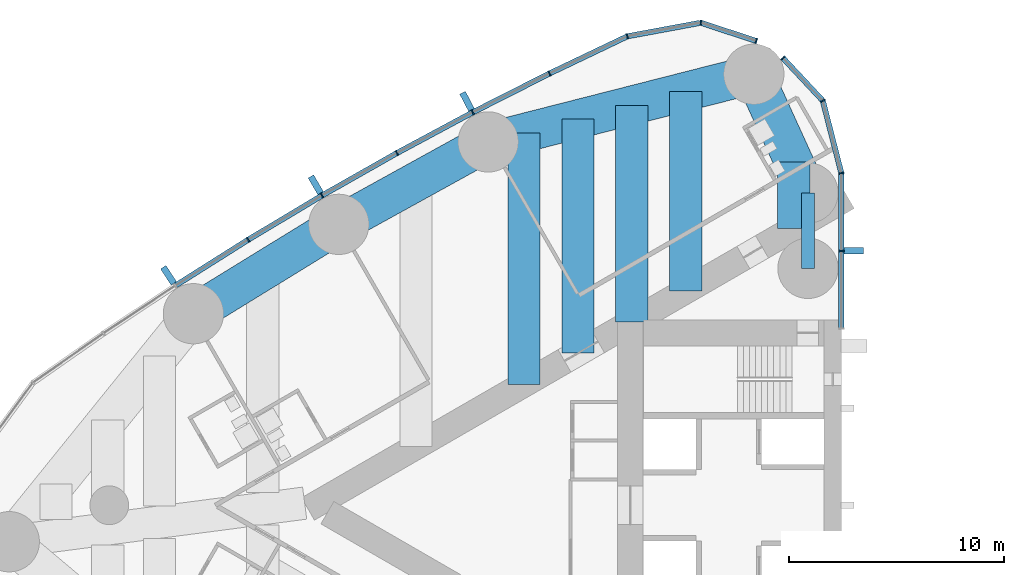
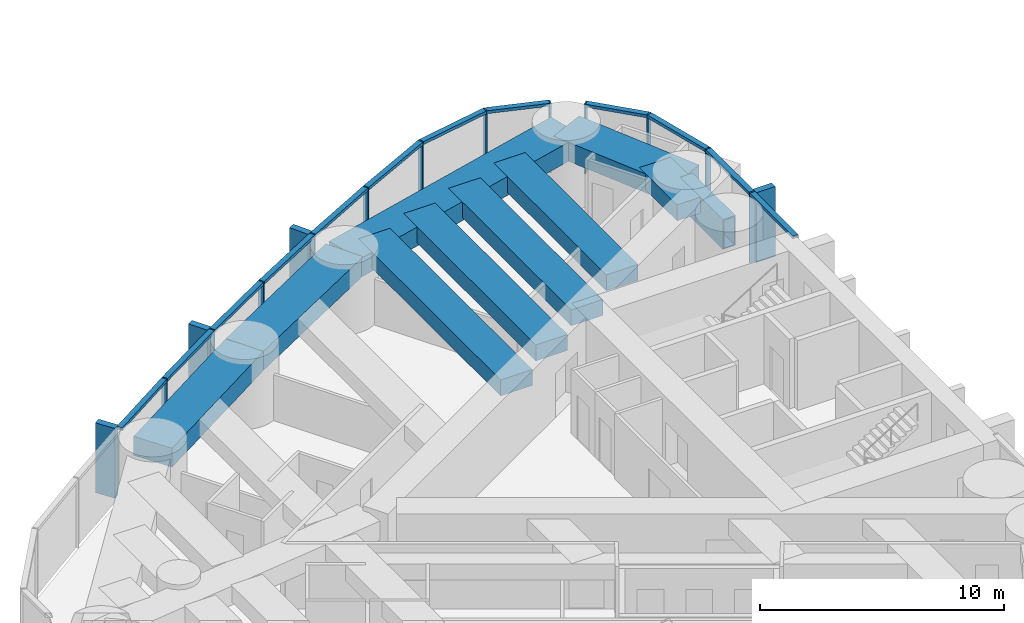
# One storey, part 5 of 18: 28 members, 10 beams, 2 elements without a shape of their own.
"""IFC4 building model written with IfcOpenShell, lengths in metres."""

from ifc_helpers import new_model, si_unit, direction, frame, origin, origin_2d, place, context, subcontext, project, spatial, rectangle, hollow_rectangle, extrude, material, material_profile, profile_set, type_object, element, aggregate, save


model = new_model("IFC4")

# Units and contexts
model_context = context("Model", 3, precision=1e-05, world=origin(), true_north=direction((0.0, 1.0)))
body_context = subcontext(model_context, "Body", "Model", "MODEL_VIEW")
ifc_project = project(units=[si_unit("LENGTHUNIT", "METRE"), si_unit("AREAUNIT", "SQUARE_METRE"), si_unit("VOLUMEUNIT", "CUBIC_METRE"), si_unit("PLANEANGLEUNIT", "RADIAN"), si_unit("MASSUNIT", "GRAM", prefix="KILO")], contexts=[model_context])

# Site, building, storey
site_placement = place(None, origin())
site = spatial("IfcSite", under=ifc_project, at=site_placement, CompositionType="ELEMENT")
building_placement = place(site_placement, origin())
building = spatial("IfcBuilding", under=site, at=building_placement, Name="Lancet Gate Hotel", CompositionType="ELEMENT")
storey_placement = place(building_placement, frame((0.0, 0.0, 166.800048828125)))
storey = spatial("IfcBuildingStorey", under=building, at=storey_placement, Name="L44", CompositionType="ELEMENT", Elevation=166.800048828125)

# Curtain wall, members
ifc_material_1 = material(Name="Aluminium curtain wall", Category="aluminium")
curtain_wall_type = type_object("IfcCurtainWallType", Name="Tower unitised curtain wall", PredefinedType="USERDEFINED", material=ifc_material_1)
curtain_wall_1_placement = place(storey_placement, origin())
curtain_wall_1 = element("IfcCurtainWall", 1, at=curtain_wall_1_placement, inside=storey, type_object=curtain_wall_type, Name="T1 L44 curtain wall 1", ObjectType="UNITISED CURTAIN WALL", PredefinedType="USERDEFINED")
ifc_material_2 = material(Name="Aluminium mullion", Category="aluminium")
ifc_material_profile_1 = material_profile(ifc_material_2, rectangle(XDim=0.06494140625, YDim=0.25, at=origin_2d()), Name="MULLION 65x250")
ifc_profile_set_1 = profile_set([ifc_material_profile_1], Name="Aluminium mullion")
member_type_1 = type_object("IfcMemberType", Name="Aluminium mullion 65x250", PredefinedType="MULLION", material=ifc_profile_set_1)
member_1_placement = place(storey_placement, frame((-27.5, 11.811767578125, 0.0), z_axis=(0.0, 0.0, 1.0), x_axis=(0.0, 1.0, 0.0)))
member_1 = element("IfcMember", 2, at=member_1_placement, type_object=member_type_1, Name="T1 L44 curtain wall 1 mullion 2", PredefinedType="MULLION", context=body_context, shape_type="SweptSolid", body=[
    extrude(rectangle(XDim=0.06494140625, YDim=0.25, at=origin_2d()), origin(), (0.0, 0.0, 1.0), 3.5),
])
member_2_placement = place(storey_placement, frame((-27.5, 15.42333984375, 0.0), z_axis=(0.0, 0.0, 1.0), x_axis=(-0.122467472845, 0.992472527627, 0.0)))
member_2 = element("IfcMember", 3, at=member_2_placement, type_object=member_type_1, Name="T1 L44 curtain wall 1 mullion 3", PredefinedType="MULLION", context=body_context, shape_type="SweptSolid", body=[
    extrude(rectangle(XDim=0.06494140625, YDim=0.25, at=origin_2d()), origin(), (0.0, 0.0, 1.0), 3.5),
])
member_3_placement = place(storey_placement, frame((-28.360595703125, 18.7861328125, 0.0), z_axis=(0.0, 0.0, 1.0), x_axis=(-0.452507601198, 0.891760545695, 0.0)))
member_3 = element("IfcMember", 4, at=member_3_placement, type_object=member_type_1, Name="T1 L44 curtain wall 1 mullion 4", PredefinedType="MULLION", context=body_context, shape_type="SweptSolid", body=[
    extrude(rectangle(XDim=0.06494140625, YDim=0.25, at=origin_2d()), origin(), (0.0, 0.0, 1.0), 3.5),
])
member_4_placement = place(storey_placement, frame((-30.210693359375, 20.765625, 0.0), z_axis=(0.0, 0.0, 1.0), x_axis=(-0.682844962172, 0.730563315282, 0.0)))
member_4 = element("IfcMember", 5, at=member_4_placement, type_object=member_type_1, Name="T1 L44 curtain wall 1 mullion 5", PredefinedType="MULLION", context=body_context, shape_type="SweptSolid", body=[
    extrude(rectangle(XDim=0.06494140625, YDim=0.25, at=origin_2d()), origin(), (0.0, 0.0, 1.0), 3.5),
])

curtain_wall_2_placement = place(storey_placement, origin())
curtain_wall_2 = element("IfcCurtainWall", 6, at=curtain_wall_2_placement, inside=storey, type_object=curtain_wall_type, Name="T1 L44 curtain wall 2", ObjectType="UNITISED CURTAIN WALL", PredefinedType="USERDEFINED")
member_5_placement = place(storey_placement, frame((-31.45263671875, 21.5595703125, 0.0), z_axis=(0.0, 0.0, 1.0), x_axis=(-0.949848055084, 0.312711803827, 0.0)))
member_5 = element("IfcMember", 7, at=member_5_placement, type_object=member_type_1, Name="T1 L44 curtain wall 2 mullion 1", PredefinedType="MULLION", context=body_context, shape_type="SweptSolid", body=[
    extrude(rectangle(XDim=0.06494140625, YDim=0.25, at=origin_2d()), origin(), (0.0, 0.0, 1.0), 3.5),
])
member_6_placement = place(storey_placement, frame((-34.02783203125, 22.407470703125, 0.0), z_axis=(0.0, 0.0, 1.0), x_axis=(-0.999350473622, 0.036036521361, 0.0)))
member_6 = element("IfcMember", 8, at=member_6_placement, type_object=member_type_1, Name="T1 L44 curtain wall 2 mullion 2", PredefinedType="MULLION", context=body_context, shape_type="SweptSolid", body=[
    extrude(rectangle(XDim=0.06494140625, YDim=0.25, at=origin_2d()), origin(), (0.0, 0.0, 1.0), 3.5),
])
member_7_placement = place(storey_placement, frame((-37.44091796875, 21.775634765625, 0.0), z_axis=(0.0, 0.0, 1.0), x_axis=(-0.948119321052, -0.317914694609, 0.0)))
member_7 = element("IfcMember", 9, at=member_7_placement, type_object=member_type_1, Name="T1 L44 curtain wall 2 mullion 3", PredefinedType="MULLION", context=body_context, shape_type="SweptSolid", body=[
    extrude(rectangle(XDim=0.06494140625, YDim=0.25, at=origin_2d()), origin(), (0.0, 0.0, 1.0), 3.5),
])
member_8_placement = place(storey_placement, frame((-41.0498046875, 20.052978515625, 0.0), z_axis=(0.0, 0.0, 1.0), x_axis=(-0.897324392142, -0.441371652088, 0.0)))
member_8 = element("IfcMember", 10, at=member_8_placement, type_object=member_type_1, Name="T1 L44 curtain wall 2 mullion 4", PredefinedType="MULLION", context=body_context, shape_type="SweptSolid", body=[
    extrude(rectangle(XDim=0.06494140625, YDim=0.25, at=origin_2d()), origin(), (0.0, 0.0, 1.0), 3.5),
])
member_9_placement = place(storey_placement, frame((-44.6171875, 18.245849609375, 0.0), z_axis=(0.0, 0.0, 1.0), x_axis=(-0.886694440064, -0.462355891019, 0.0)))
member_9 = element("IfcMember", 11, at=member_9_placement, type_object=member_type_1, Name="T1 L44 curtain wall 2 mullion 5", PredefinedType="MULLION", context=body_context, shape_type="SweptSolid", body=[
    extrude(rectangle(XDim=0.06494140625, YDim=0.25, at=origin_2d()), origin(), (0.0, 0.0, 1.0), 3.5),
])
member_10_placement = place(storey_placement, frame((-48.140869140625, 16.355224609375, 0.0), z_axis=(0.0, 0.0, 1.0), x_axis=(-0.87557384965, -0.483084292654, 0.0)))
member_10 = element("IfcMember", 12, at=member_10_placement, type_object=member_type_1, Name="T1 L44 curtain wall 2 mullion 6", PredefinedType="MULLION", context=body_context, shape_type="SweptSolid", body=[
    extrude(rectangle(XDim=0.06494140625, YDim=0.25, at=origin_2d()), origin(), (0.0, 0.0, 1.0), 3.5),
])
member_11_placement = place(storey_placement, frame((-51.619384765625, 14.38232421875, 0.0), z_axis=(0.0, 0.0, 1.0), x_axis=(-0.863968774311, -0.503545387245, 0.0)))
member_11 = element("IfcMember", 13, at=member_11_placement, type_object=member_type_1, Name="T1 L44 curtain wall 2 mullion 7", PredefinedType="MULLION", context=body_context, shape_type="SweptSolid", body=[
    extrude(rectangle(XDim=0.06494140625, YDim=0.25, at=origin_2d()), origin(), (0.0, 0.0, 1.0), 3.5),
])
member_12_placement = place(storey_placement, frame((-55.05029296875, 12.328369140625, 0.0), z_axis=(0.0, 0.0, 1.0), x_axis=(-0.851885635531, -0.52372785297, 0.0)))
member_12 = element("IfcMember", 14, at=member_12_placement, type_object=member_type_1, Name="T1 L44 curtain wall 2 mullion 8", PredefinedType="MULLION", context=body_context, shape_type="SweptSolid", body=[
    extrude(rectangle(XDim=0.06494140625, YDim=0.25, at=origin_2d()), origin(), (0.0, 0.0, 1.0), 3.5),
])

# Member
ifc_material_3 = material(Name="Aluminium transom", Category="aluminium")
ifc_material_profile_2 = material_profile(ifc_material_3, rectangle(XDim=0.25, YDim=0.14990234375, at=origin_2d()), Name="TRANSOM 250x150")
ifc_profile_set_2 = profile_set([ifc_material_profile_2], Name="Aluminium transom")
member_type_2 = type_object("IfcMemberType", Name="Aluminium transom 250x150", PredefinedType="USERDEFINED", material=ifc_profile_set_2)
member_13_placement = place(storey_placement, frame((-27.5, 8.232421875, 3.425048828125), z_axis=(0.0, 1.0, 0.0), x_axis=(-1.0, 0.0, 0.0)))
member_13 = element("IfcMember", 15, at=member_13_placement, type_object=member_type_2, Name="T1 L44 curtain wall 1 transom 1", ObjectType="TRANSOM", PredefinedType="USERDEFINED", context=body_context, shape_type="SweptSolid", body=[
    extrude(rectangle(XDim=0.25, YDim=0.14990234375, at=origin_2d()), origin(), (0.0, 0.0, 1.0), 3.546875),
])

member_14_placement = place(storey_placement, frame((-27.5, 11.84423828125, 3.425048828125), z_axis=(0.0, 1.0, 0.0), x_axis=(-1.0, 0.0, 0.0)))
member_14 = element("IfcMember", 16, at=member_14_placement, type_object=member_type_2, Name="T1 L44 curtain wall 1 transom 2", ObjectType="TRANSOM", PredefinedType="USERDEFINED", context=body_context, shape_type="SweptSolid", body=[
    extrude(rectangle(XDim=0.25, YDim=0.14990234375, at=origin_2d()), origin(), (0.0, 0.0, 1.0), 3.546630859375),
])

member_15_placement = place(storey_placement, frame((-27.508056640625, 15.454833984375, 3.425048828125), z_axis=(-0.247928683912, 0.968778286139, 0.0), x_axis=(-0.968778286139, -0.247928683912, 0.0)))
member_15 = element("IfcMember", 17, at=member_15_placement, type_object=member_type_2, Name="T1 L44 curtain wall 1 transom 3", ObjectType="TRANSOM", PredefinedType="USERDEFINED", context=body_context, shape_type="SweptSolid", body=[
    extrude(rectangle(XDim=0.25, YDim=0.14990234375, at=origin_2d()), origin(), (0.0, 0.0, 1.0), 3.40625),
])

member_16_placement = place(storey_placement, frame((-28.3828125, 18.809814453125, 3.425048828125), z_axis=(-0.682841037959, 0.730566983157, 0.0), x_axis=(-0.730566983157, -0.682841037959, 0.0)))
member_16 = element("IfcMember", 18, at=member_16_placement, type_object=member_type_2, Name="T1 L44 curtain wall 1 transom 4", ObjectType="TRANSOM", PredefinedType="USERDEFINED", context=body_context, shape_type="SweptSolid", body=[
    extrude(rectangle(XDim=0.25, YDim=0.14990234375, at=origin_2d()), origin(), (0.0, 0.0, 1.0), 2.644775390625),
])

member_17_placement = place(storey_placement, frame((-31.483642578125, 21.56982421875, 3.425048828125), z_axis=(-0.949857661259, 0.312682623993, 0.0), x_axis=(-0.312682623993, -0.949857661259, 0.0)))
member_17 = element("IfcMember", 19, at=member_17_placement, type_object=member_type_2, Name="T1 L44 curtain wall 2 transom 1", ObjectType="TRANSOM", PredefinedType="USERDEFINED", context=body_context, shape_type="SweptSolid", body=[
    extrude(rectangle(XDim=0.25, YDim=0.14990234375, at=origin_2d()), origin(), (0.0, 0.0, 1.0), 2.64599609375),
])

member_18_placement = place(storey_placement, frame((-34.059814453125, 22.401611328125, 3.425048828125), z_axis=(-0.983286757871, -0.182063592724, 0.0), x_axis=(0.182063592724, -0.983286757871, 0.0)))
member_18 = element("IfcMember", 20, at=member_18_placement, type_object=member_type_2, Name="T1 L44 curtain wall 2 transom 2", ObjectType="TRANSOM", PredefinedType="USERDEFINED", context=body_context, shape_type="SweptSolid", body=[
    extrude(rectangle(XDim=0.25, YDim=0.14990234375, at=origin_2d()), origin(), (0.0, 0.0, 1.0), 3.406005859375),
])

member_19_placement = place(storey_placement, frame((-37.47021484375, 21.761474609375, 3.425048828125), z_axis=(-0.902468975385, -0.430754858902, 0.0), x_axis=(0.430754858902, -0.902468975385, 0.0)))
member_19 = element("IfcMember", 21, at=member_19_placement, type_object=member_type_2, Name="T1 L44 curtain wall 2 transom 3", ObjectType="TRANSOM", PredefinedType="USERDEFINED", context=body_context, shape_type="SweptSolid", body=[
    extrude(rectangle(XDim=0.25, YDim=0.14990234375, at=origin_2d()), origin(), (0.0, 0.0, 1.0), 3.93408203125),
])

member_20_placement = place(storey_placement, frame((-41.078857421875, 20.0380859375, 3.425048828125), z_axis=(-0.892081477453, -0.451874581699, 0.0), x_axis=(0.451874581699, -0.892081477453, 0.0)))
member_20 = element("IfcMember", 22, at=member_20_placement, type_object=member_type_2, Name="T1 L44 curtain wall 2 transom 4", ObjectType="TRANSOM", PredefinedType="USERDEFINED", context=body_context, shape_type="SweptSolid", body=[
    extrude(rectangle(XDim=0.25, YDim=0.14990234375, at=origin_2d()), origin(), (0.0, 0.0, 1.0), 3.933837890625),
])

member_21_placement = place(storey_placement, frame((-44.645751953125, 18.23046875, 3.425048828125), z_axis=(-0.881185491994, -0.472770693571, 0.0), x_axis=(0.472770693571, -0.881185491994, 0.0)))
member_21 = element("IfcMember", 23, at=member_21_placement, type_object=member_type_2, Name="T1 L44 curtain wall 2 transom 5", ObjectType="TRANSOM", PredefinedType="USERDEFINED", context=body_context, shape_type="SweptSolid", body=[
    extrude(rectangle(XDim=0.25, YDim=0.14990234375, at=origin_2d()), origin(), (0.0, 0.0, 1.0), 3.93408203125),
])

member_22_placement = place(storey_placement, frame((-48.169189453125, 16.33935546875, 3.425048828125), z_axis=(-0.869819807367, -0.493369539709, 0.0), x_axis=(0.493369539709, -0.869819807367, 0.0)))
member_22 = element("IfcMember", 24, at=member_22_placement, type_object=member_type_2, Name="T1 L44 curtain wall 2 transom 6", ObjectType="TRANSOM", PredefinedType="USERDEFINED", context=body_context, shape_type="SweptSolid", body=[
    extrude(rectangle(XDim=0.25, YDim=0.14990234375, at=origin_2d()), origin(), (0.0, 0.0, 1.0), 3.93408203125),
])

member_23_placement = place(storey_placement, frame((-51.647216796875, 14.36572265625, 3.425048828125), z_axis=(-0.857985365092, -0.513674131419, 0.0), x_axis=(0.513674131419, -0.857985365092, 0.0)))
member_23 = element("IfcMember", 25, at=member_23_placement, type_object=member_type_2, Name="T1 L44 curtain wall 2 transom 7", ObjectType="TRANSOM", PredefinedType="USERDEFINED", context=body_context, shape_type="SweptSolid", body=[
    extrude(rectangle(XDim=0.25, YDim=0.14990234375, at=origin_2d()), origin(), (0.0, 0.0, 1.0), 3.933837890625),
])

member_24_placement = place(storey_placement, frame((-55.077880859375, 12.31103515625, 3.425048828125), z_axis=(-0.845671711095, -0.53370343549, 0.0), x_axis=(0.53370343549, -0.845671711095, 0.0)))
member_24 = element("IfcMember", 26, at=member_24_placement, type_object=member_type_2, Name="T1 L44 curtain wall 2 transom 8", ObjectType="TRANSOM", PredefinedType="USERDEFINED", context=body_context, shape_type="SweptSolid", body=[
    extrude(rectangle(XDim=0.25, YDim=0.14990234375, at=origin_2d()), origin(), (0.0, 0.0, 1.0), 3.93408203125),
])

# Beams
ifc_material_4 = material(Name="Concrete C50/60", Category="concrete")
ifc_material_profile_3 = material_profile(ifc_material_4, rectangle(XDim=1.800048828125, YDim=0.949951171875, at=origin_2d()), Name="RC 1800x950")
ifc_profile_set_3 = profile_set([ifc_material_profile_3], Name="Concrete C50/60")
beam_type_1 = type_object("IfcBeamType", Name="Edge beam RC 1800x950", PredefinedType="SPANDREL", material=ifc_profile_set_3)
beam_1_placement = place(storey_placement, frame((-31.5654296875, 20.015869140625, 2.77490234375), z_axis=(-0.969008414312, -0.247027717052, 0.0), x_axis=(0.247027717052, -0.969008414312, 0.0)))
element("IfcBeam", 27, at=beam_1_placement, inside=storey, type_object=beam_type_1, Name="T1 edge beam EB1 L44", PredefinedType="SPANDREL", context=body_context, shape_type="SweptSolid", body=[
    extrude(rectangle(XDim=1.800048828125, YDim=0.949951171875, at=origin_2d()), origin(), (0.0, 0.0, 1.0), 12.7294921875),
])
beam_2_placement = place(storey_placement, frame((-43.900390625, 16.871337890625, 2.77490234375), z_axis=(-0.875577684027, -0.483077342911, 0.0), x_axis=(0.483077342911, -0.875577684027, 0.0)))
element("IfcBeam", 28, at=beam_2_placement, inside=storey, type_object=beam_type_1, Name="T1 edge beam EB1 L44", PredefinedType="SPANDREL", context=body_context, shape_type="SweptSolid", body=[
    extrude(rectangle(XDim=1.800048828125, YDim=0.949951171875, at=origin_2d()), origin(), (0.0, 0.0, 1.0), 7.924560546875),
])
beam_3_placement = place(storey_placement, frame((-50.8388671875, 13.043212890625, 2.77490234375), z_axis=(-0.851892008043, -0.523717487423, 0.0), x_axis=(0.523717487423, -0.851892008043, 0.0)))
element("IfcBeam", 29, at=beam_3_placement, inside=storey, type_object=beam_type_1, Name="T1 edge beam EB1 L44", PredefinedType="SPANDREL", context=body_context, shape_type="SweptSolid", body=[
    extrude(rectangle(XDim=1.800048828125, YDim=0.949951171875, at=origin_2d()), origin(), (0.0, 0.0, 1.0), 7.92431640625),
])
beam_4_placement = place(storey_placement, frame((-31.5654296875, 20.015869140625, 2.77490234375), z_axis=(0.414919206993, -0.909858259109, 0.0), x_axis=(0.909858259109, 0.414919206993, 0.0)))
element("IfcBeam", 30, at=beam_4_placement, inside=storey, type_object=beam_type_1, Name="T1 edge beam EB1 L44", PredefinedType="SPANDREL", context=body_context, shape_type="SweptSolid", body=[
    extrude(rectangle(XDim=1.800048828125, YDim=0.949951171875, at=origin_2d()), origin(), (0.0, 0.0, 1.0), 6.062255859375),
])

# Member
ifc_material_5 = material(Name="Precast concrete C50/60", Category="concrete")
ifc_material_profile_4 = material_profile(ifc_material_5, rectangle(XDim=0.300048828125, YDim=0.89990234375, at=origin_2d()), Name="FIN 300x900")
ifc_profile_set_4 = profile_set([ifc_material_profile_4], Name="Precast concrete C50/60")
member_type_3 = type_object("IfcMemberType", Name="Exposed concrete fin 300x900", PredefinedType="USERDEFINED", material=ifc_profile_set_4)
member_25_placement = place(storey_placement, frame((-26.925048828125, 11.811767578125, 0.0), z_axis=(0.0, 0.0, 1.0), x_axis=(0.0, 1.0, 0.0)))
member_25 = element("IfcMember", 31, at=member_25_placement, type_object=member_type_3, Name="T1 L44 curtain wall 1 fin 2", ObjectType="FIN", PredefinedType="USERDEFINED", context=body_context, shape_type="SweptSolid", body=[
    extrude(rectangle(XDim=0.300048828125, YDim=0.89990234375, at=origin_2d()), origin(), (0.0, 0.0, 1.0), 3.5),
])

aggregate(curtain_wall_1, [member_1, member_25, member_2, member_3, member_4, member_13, member_14, member_15, member_16])

member_26_placement = place(storey_placement, frame((-44.883056640625, 18.755615234375, 0.0), z_axis=(0.0, 0.0, 1.0), x_axis=(-0.886694440064, -0.462355891019, 0.0)))
member_26 = element("IfcMember", 32, at=member_26_placement, type_object=member_type_3, Name="T1 L44 curtain wall 2 fin 5", ObjectType="FIN", PredefinedType="USERDEFINED", context=body_context, shape_type="SweptSolid", body=[
    extrude(rectangle(XDim=0.300048828125, YDim=0.89990234375, at=origin_2d()), origin(), (0.0, 0.0, 1.0), 3.5),
])

member_27_placement = place(storey_placement, frame((-51.908935546875, 14.879150390625, 0.0), z_axis=(0.0, 0.0, 1.0), x_axis=(-0.863968774311, -0.503545387245, 0.0)))
member_27 = element("IfcMember", 33, at=member_27_placement, type_object=member_type_3, Name="T1 L44 curtain wall 2 fin 7", ObjectType="FIN", PredefinedType="USERDEFINED", context=body_context, shape_type="SweptSolid", body=[
    extrude(rectangle(XDim=0.300048828125, YDim=0.89990234375, at=origin_2d()), origin(), (0.0, 0.0, 1.0), 3.5),
])

member_28_placement = place(storey_placement, frame((-58.74462890625, 10.6767578125, 0.0), z_axis=(0.0, 0.0, 1.0), x_axis=(-0.839331119324, -0.54362052218, 0.0)))
member_28 = element("IfcMember", 34, at=member_28_placement, type_object=member_type_3, Name="T1 L44 curtain wall 2 fin 9", ObjectType="FIN", PredefinedType="USERDEFINED", context=body_context, shape_type="SweptSolid", body=[
    extrude(rectangle(XDim=0.300048828125, YDim=0.89990234375, at=origin_2d()), origin(), (0.0, 0.0, 1.0), 3.5),
])

aggregate(curtain_wall_2, [member_5, member_6, member_7, member_8, member_9, member_26, member_10, member_11, member_27, member_12, member_28, member_17, member_18, member_19, member_20, member_21, member_22, member_23, member_24])

# Beams
ifc_material_6 = material(Name="Concrete C50/60", Category="concrete")
ifc_material_profile_5 = material_profile(ifc_material_6, rectangle(XDim=1.5, YDim=0.800048828125, at=origin_2d()), Name="RC 1500x800")
ifc_profile_set_5 = profile_set([ifc_material_profile_5], Name="Concrete C50/60")
beam_type_2 = type_object("IfcBeamType", Name="Floor beam RC 1500x800", PredefinedType="BEAM", material=ifc_profile_set_5)
beam_5_placement = place(storey_placement, frame((-29.706787109375, 15.940185546875, 2.849853515625), z_axis=(0.0, -1.0, 0.0), x_axis=(1.0, 0.0, 0.0)))
element("IfcBeam", 35, at=beam_5_placement, inside=storey, type_object=beam_type_2, Name="T1 floor beam F01S L44", PredefinedType="BEAM", context=body_context, shape_type="SweptSolid", body=[
    extrude(rectangle(XDim=1.5, YDim=0.800048828125, at=origin_2d()), origin(), (0.0, 0.0, 1.0), 3.087646484375),
])
beam_6_placement = place(storey_placement, frame((-34.720458984375, 19.211669921875, 2.849853515625), z_axis=(0.0, -1.0, 0.0), x_axis=(1.0, 0.0, 0.0)))
element("IfcBeam", 36, at=beam_6_placement, inside=storey, type_object=beam_type_2, Name="T1 floor beam F03S L44", PredefinedType="BEAM", context=body_context, shape_type="SweptSolid", body=[
    extrude(rectangle(XDim=1.5, YDim=0.800048828125, at=origin_2d()), origin(), (0.0, 0.0, 1.0), 9.253662109375),
])
beam_7_placement = place(storey_placement, frame((-37.227294921875, 18.572509765625, 2.849853515625), z_axis=(0.0, -1.0, 0.0), x_axis=(1.0, 0.0, 0.0)))
element("IfcBeam", 37, at=beam_7_placement, inside=storey, type_object=beam_type_2, Name="T1 floor beam F04S L44", PredefinedType="BEAM", context=body_context, shape_type="SweptSolid", body=[
    extrude(rectangle(XDim=1.5, YDim=0.800048828125, at=origin_2d()), origin(), (0.0, 0.0, 1.0), 10.061767578125),
])
beam_8_placement = place(storey_placement, frame((-39.734130859375, 17.93359375, 2.849853515625), z_axis=(0.0, -1.0, 0.0), x_axis=(1.0, 0.0, 0.0)))
element("IfcBeam", 38, at=beam_8_placement, inside=storey, type_object=beam_type_2, Name="T1 floor beam F06S L44", PredefinedType="BEAM", context=body_context, shape_type="SweptSolid", body=[
    extrude(rectangle(XDim=1.5, YDim=0.800048828125, at=origin_2d()), origin(), (0.0, 0.0, 1.0), 10.8701171875),
])
beam_9_placement = place(storey_placement, frame((-42.240966796875, 17.29443359375, 2.849853515625), z_axis=(0.0, -1.0, 0.0), x_axis=(1.0, 0.0, 0.0)))
element("IfcBeam", 39, at=beam_9_placement, inside=storey, type_object=beam_type_2, Name="T1 floor beam F07S L44", PredefinedType="BEAM", context=body_context, shape_type="SweptSolid", body=[
    extrude(rectangle(XDim=1.5, YDim=0.800048828125, at=origin_2d()), origin(), (0.0, 0.0, 1.0), 11.678466796875),
])
ifc_material_7 = material(Name="Steel S460QL", Category="steel")
ifc_material_profile_6 = material_profile(ifc_material_7, hollow_rectangle(XDim=0.60009765625, YDim=1.5, WallThickness=0.050048828125, at=origin_2d()), Name="BOX 1500x600x50")
ifc_profile_set_6 = profile_set([ifc_material_profile_6], Name="Steel S460QL")
beam_type_3 = type_object("IfcBeamType", Name="Inner-face link beam BOX 1500x600x50", PredefinedType="BEAM", material=ifc_profile_set_6)
beam_10_placement = place(storey_placement, frame((-29.050048828125, 14.5, 2.5), z_axis=(0.0, -1.0, 0.0), x_axis=(1.0, 0.0, 0.0)))
element("IfcBeam", 40, at=beam_10_placement, inside=storey, type_object=beam_type_3, Name="T1 inner-face link beam LK1 L44", PredefinedType="BEAM", context=body_context, shape_type="SweptSolid", body=[
    extrude(hollow_rectangle(XDim=0.60009765625, YDim=1.5, WallThickness=0.050048828125, at=origin_2d()), origin(), (0.0, 0.0, 1.0), 3.5),
])

save(model, "model.ifc")
